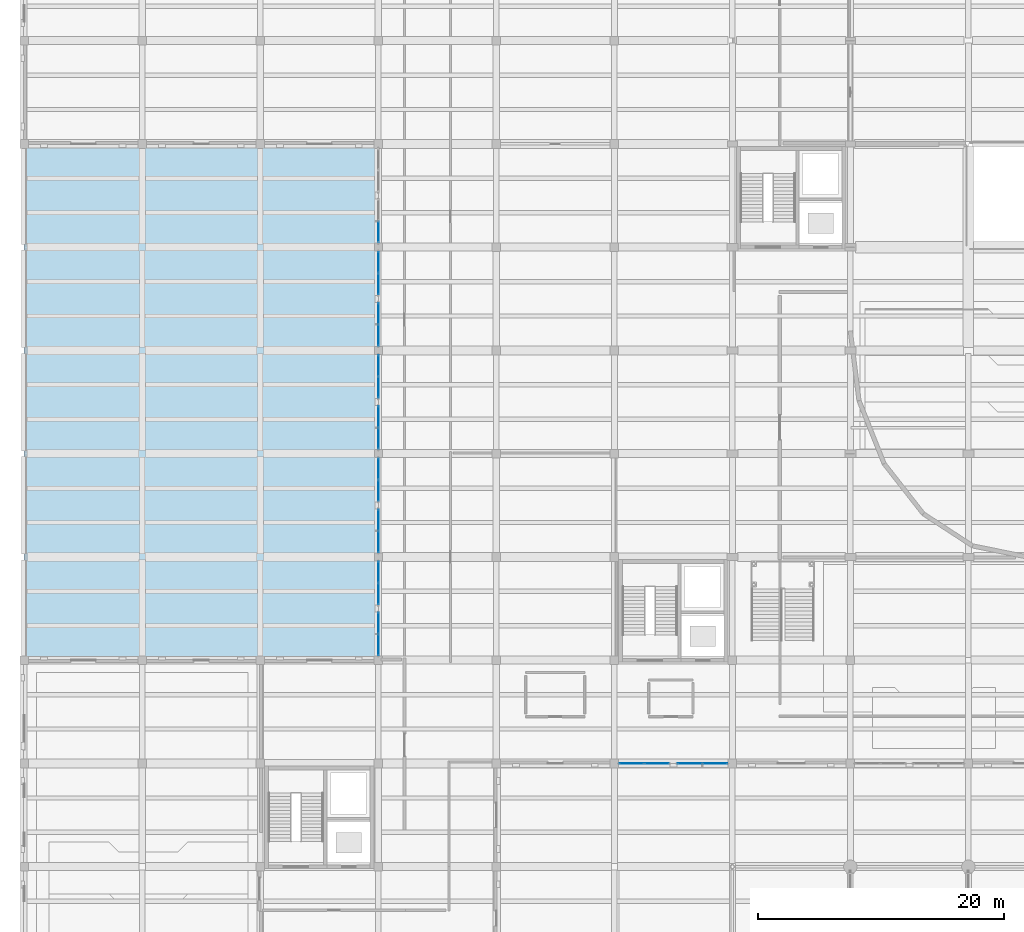
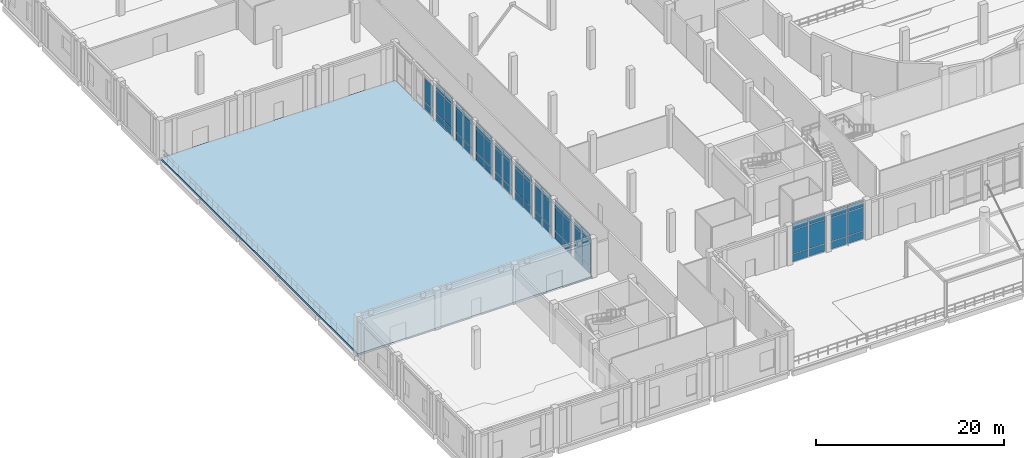
# One storey, part 40 of 71: 62 plates, 1 slab, 11 elements without a shape of their own.
"""IFC4 building model written with IfcOpenShell, lengths in metres."""

import ifcopenshell
import ifcopenshell.guid

model = None  # the IFC model being written
_history = None  # IfcOwnerHistory: only IFC2X3 demands one
_inside = {}  # id of a spatial element -> (the spatial element, [elements in it])
_under = {}  # id of a project, library or spatial element -> (it, [spatial elements below it])
_declared = {}  # id of a project -> (the project, [libraries it declares])
_typed = {}  # id of a type object -> (the type object, [elements of that type])
_made_of = {}  # id of a material, layer set ... -> (it, [elements and type objects made of it])


def new_model(schema):
    """Start an empty IFC model of exactly this schema.

    Asked for "IFC4X3", IfcOpenShell would pick the latest addendum, in which some entities
    have other attributes; the version numbers below select the first issue.
    IFC2X3 requires an IfcOwnerHistory on every rooted entity: one is made here for all.
    """
    global model, _history
    if schema == "IFC4X3":
        model = ifcopenshell.file(schema_version=(4, 3, 0, 0))
    else:
        model = ifcopenshell.file(schema=schema)
    _inside.clear()
    _under.clear()
    _declared.clear()
    _typed.clear()
    _made_of.clear()
    _history = None
    if model.schema == "IFC2X3":
        org = make("IfcOrganization", Name="unknown")
        user = make(
            "IfcPersonAndOrganization",
            ThePerson=make("IfcPerson", FamilyName="unknown"),
            TheOrganization=org,
        )
        app = make(
            "IfcApplication",
            ApplicationDeveloper=org,
            Version="unknown",
            ApplicationFullName="unknown",
            ApplicationIdentifier="unknown",
        )
        _history = make(
            "IfcOwnerHistory",
            OwningUser=user,
            OwningApplication=app,
            ChangeAction="ADDED",
            CreationDate=0,
        )
    return model


def make(cls, **values):
    """One entity of the class cls with the attributes given. An attribute that is None is left unset."""
    return model.create_entity(
        cls, **{name: value for name, value in values.items() if value is not None}
    )


def rooted(cls, **values):
    """An entity with a GlobalId (a new one), such as an element, a storey or a relation."""
    return make(cls, GlobalId=ifcopenshell.guid.new(), OwnerHistory=_history, **values)


def si_unit(unit_type, name, prefix=None):
    """IfcSIUnit, for example si_unit("LENGTHUNIT", "METRE", prefix="MILLI")."""
    return make("IfcSIUnit", UnitType=unit_type, Prefix=prefix, Name=name)


def assignment(units):
    """IfcUnitAssignment: the units of a project."""
    return None if units is None else make("IfcUnitAssignment", Units=units)


def point(xyz):
    """IfcCartesianPoint."""
    return None if xyz is None else make("IfcCartesianPoint", Coordinates=xyz)


def direction(xyz):
    """IfcDirection."""
    return None if xyz is None else make("IfcDirection", DirectionRatios=xyz)


def frame(location, z_axis=None, x_axis=None):
    """IfcAxis2Placement3D, a coordinate frame: its origin and axes. An axis left out is left unset."""
    return make(
        "IfcAxis2Placement3D",
        Location=point(location),
        Axis=direction(z_axis),
        RefDirection=direction(x_axis),
    )


def frame_2d(location, x_axis=None):
    """IfcAxis2Placement2D, a coordinate frame in the plane: its origin and x axis."""
    return make(
        "IfcAxis2Placement2D", Location=point(location), RefDirection=direction(x_axis)
    )


def origin():
    """The frame at (0, 0, 0) with its axes left unset."""
    return frame((0.0, 0.0, 0.0))


def origin_2d():
    """The frame at (0, 0) in the plane with its x axis left unset."""
    return frame_2d((0.0, 0.0))


def place(relative_to, where):
    """IfcLocalPlacement: puts the frame where relative to a parent placement (None: the world)."""
    return make(
        "IfcLocalPlacement", PlacementRelTo=relative_to, RelativePlacement=where
    )


def context(
    kind, dimensions, precision=None, world=None, true_north=None, identifier=None
):
    """IfcGeometricRepresentationContext, for example the 3D "Model" context."""
    return make(
        "IfcGeometricRepresentationContext",
        ContextIdentifier=identifier,
        ContextType=kind,
        CoordinateSpaceDimension=dimensions,
        Precision=precision,
        WorldCoordinateSystem=world,
        TrueNorth=true_north,
    )


def subcontext(parent, identifier, kind, view, scale=None):
    """IfcGeometricRepresentationSubContext, for example "Body" below "Model"."""
    return make(
        "IfcGeometricRepresentationSubContext",
        ContextIdentifier=identifier,
        ContextType=kind,
        ParentContext=parent,
        TargetScale=scale,
        TargetView=view,
    )


def project(units=None, contexts=None):
    """IfcProject with its units and contexts."""
    return rooted(
        "IfcProject",
        Name="project",
        RepresentationContexts=contexts,
        UnitsInContext=assignment(units),
    )


def spatial(cls, under=None, at=None, **own):
    """A site, building, storey or space (cls), placed at a placement, below another one or the project."""
    s = rooted(cls, ObjectPlacement=at, **own)
    if under is not None:
        _under.setdefault(under.id(), (under, []))[1].append(s)
    return s


def polyline(points):
    """IfcPolyline through the points."""
    return make("IfcPolyline", Points=[point(p) for p in points])


def profile(cls, at=None, kind="AREA", **sizes):
    """A parametric profile (cls). Its sizes go by their IFC names, for example OverallWidth=200.0."""
    return make(cls, ProfileType=kind, Position=at, **sizes)


def rectangle(**sizes):
    """IfcRectangleProfileDef."""
    return profile("IfcRectangleProfileDef", **sizes)


def outline(outer, holes=None, kind="AREA"):
    """IfcArbitraryClosedProfileDef: a profile drawn as a closed curve; with holes, ...WithVoids."""
    if holes is None:
        return make("IfcArbitraryClosedProfileDef", ProfileType=kind, OuterCurve=outer)
    return make(
        "IfcArbitraryProfileDefWithVoids",
        ProfileType=kind,
        OuterCurve=outer,
        InnerCurves=holes,
    )


def extrude(swept, where, along, depth):
    """IfcExtrudedAreaSolid: the profile swept, set in the frame where, extruded along a direction by depth."""
    return make(
        "IfcExtrudedAreaSolid",
        SweptArea=swept,
        Position=where,
        ExtrudedDirection=direction(along),
        Depth=depth,
    )


def shape(context_of_items, identifier, shape_type, items):
    """IfcShapeRepresentation: the items that make up one representation, for example the "Body"."""
    return make(
        "IfcShapeRepresentation",
        ContextOfItems=context_of_items,
        RepresentationIdentifier=identifier,
        RepresentationType=shape_type,
        Items=items,
    )


def material(Name=None, Category=None):
    """IfcMaterial."""
    return make("IfcMaterial", Name=Name, Category=Category)


def layer(
    of_material, thickness, ventilated=None, Name=None, Category=None, Priority=None
):
    """IfcMaterialLayer: one layer of a wall or slab, of a material (None: an air gap)."""
    return make(
        "IfcMaterialLayer",
        Material=of_material,
        LayerThickness=thickness,
        IsVentilated=ventilated,
        Name=Name,
        Category=Category,
        Priority=Priority,
    )


def layer_set(layers, Name=None):
    """IfcMaterialLayerSet."""
    return make("IfcMaterialLayerSet", MaterialLayers=layers, LayerSetName=Name)


def made_of(thing, what):
    """Note that an element or type object is made of a material, layer set ...; save() writes the relation."""
    if what is not None:
        _made_of.setdefault(what.id(), (what, []))[1].append(thing)
    return thing


def type_object(cls, material=None, **own):
    """A type object (cls), such as IfcWallType, which elements share."""
    return made_of(rooted(cls, **own), material)


def element(
    cls,
    number,
    at=None,
    inside=None,
    cuts=None,
    type_object=None,
    material=None,
    context=None,
    identifier="Body",
    shape_type=None,
    held_by="IfcProductDefinitionShape",
    body=None,
    shapes=None,
    **own,
):
    """One element of the class cls, such as IfcWall. Its Tag is "e" and its number.

    at: its placement. inside: the storey or other place that contains it. cuts: it is an
    opening in that element (IfcRelVoidsElement). A single representation is given by context,
    identifier, shape_type and body (its items); several are given by shapes. held_by: the class
    of the entity that holds the representations. save() writes the other relations.
    """
    e = rooted(cls, Tag="e%d" % number, ObjectPlacement=at, **own)
    if body is not None:
        shapes = [shape(context, identifier, shape_type, body)]
    if shapes is not None:
        e.Representation = make(held_by, Representations=shapes)
    if inside is not None:
        _inside.setdefault(inside.id(), (inside, []))[1].append(e)
    if cuts is not None:
        rooted(
            "IfcRelVoidsElement", RelatingBuildingElement=cuts, RelatedOpeningElement=e
        )
    if type_object is not None:
        _typed.setdefault(type_object.id(), (type_object, []))[1].append(e)
    return made_of(e, material)


def aggregate(whole, parts):
    """IfcRelAggregates: a whole, such as a stair, and the parts it consists of."""
    return rooted("IfcRelAggregates", RelatingObject=whole, RelatedObjects=parts)


def save(model, path):
    """Write the relations noted so far, then the file.

    IfcRelAggregates (storeys below a building ...), IfcRelContainedInSpatialStructure (elements
    in a storey), IfcRelDefinesByType, IfcRelAssociatesMaterial and IfcRelDeclares: one each for
    every whole, place, type object, material and project.
    """
    for whole, parts in _under.values():
        aggregate(whole, parts)
    for where, things in _inside.values():
        rooted(
            "IfcRelContainedInSpatialStructure",
            RelatedElements=things,
            RelatingStructure=where,
        )
    for kind, things in _typed.values():
        rooted("IfcRelDefinesByType", RelatedObjects=things, RelatingType=kind)
    for what, things in _made_of.values():
        rooted("IfcRelAssociatesMaterial", RelatedObjects=things, RelatingMaterial=what)
    for by, libraries in _declared.values():
        rooted("IfcRelDeclares", RelatingContext=by, RelatedDefinitions=libraries)
    model.write(path)


model = new_model("IFC4")

# Units and contexts
model_context = context("Model", 3, precision=1e-05, world=origin(), true_north=direction((0.0, 1.0)))
body_context = subcontext(model_context, "Body", "Model", "MODEL_VIEW")
ifc_project = project(units=[si_unit("LENGTHUNIT", "METRE"), si_unit("AREAUNIT", "SQUARE_METRE"), si_unit("VOLUMEUNIT", "CUBIC_METRE"), si_unit("PLANEANGLEUNIT", "RADIAN"), si_unit("MASSUNIT", "GRAM", prefix="KILO")], contexts=[model_context])

# Site, building, storey
site_placement = place(None, origin())
site = spatial("IfcSite", under=ifc_project, at=site_placement, CompositionType="ELEMENT")
building_placement = place(site_placement, origin())
building = spatial("IfcBuilding", under=site, at=building_placement, Name="Lornevale Opera House", CompositionType="ELEMENT")
storey_placement = place(building_placement, origin())
storey = spatial("IfcBuildingStorey", under=building, at=storey_placement, Name="L01", CompositionType="ELEMENT", Elevation=0.0)

# Curtain wall, plates
ifc_material_1 = material(Name="Anodized Oxide-Green Aluminium Framing", Category="aluminium")
ifc_layer_1 = layer(ifc_material_1, 0.215087890625)
ifc_layer_set_1 = layer_set([ifc_layer_1], Name="Anodized Oxide-Green Aluminium Framing")
curtain_wall_type = type_object("IfcCurtainWallType", Name="Grand Foyer Curtain Wall M2000", PredefinedType="NOTDEFINED", material=ifc_layer_set_1)
curtain_wall_1_placement = place(storey_placement, origin())
curtain_wall_1 = element("IfcCurtainWall", 1, at=curtain_wall_1_placement, inside=storey, type_object=curtain_wall_type, Name="Grand Foyer Curtain Wall M2000 CW-001", PredefinedType="NOTDEFINED")
ifc_material_2 = material(Name="Triple Low-E Insulated Glazing", Category="glass")
ifc_layer_2 = layer(ifc_material_2, 0.0419921875)
ifc_layer_set_2 = layer_set([ifc_layer_2], Name="Triple Low-E Insulated Glazing")
plate_type = type_object("IfcPlateType", Name="Ceramic Fritted Bird-Safe Panel 42", PredefinedType="CURTAIN_PANEL", material=ifc_layer_set_2)
plate_1_placement = place(storey_placement, frame((28.800048828125, 26.458251953125, 0.074951171875), z_axis=(0.0, 0.0, 1.0), x_axis=(0.0, 1.0, 0.0)))
plate_1 = element("IfcPlate", 2, at=plate_1_placement, type_object=plate_type, Name="Ceramic Fritted Bird-Safe Panel 42 CW0008", PredefinedType="CURTAIN_PANEL", context=body_context, shape_type="SweptSolid", body=[
    extrude(rectangle(XDim=1.674560546875, YDim=0.0419921875, at=origin_2d()), origin(), (0.0, 0.0, 1.0), 0.9375),
])
plate_2_placement = place(storey_placement, frame((28.800048828125, 26.458251953125, 1.087646484375), z_axis=(0.0, 0.0, 1.0), x_axis=(0.0, 1.0, 0.0)))
plate_2 = element("IfcPlate", 3, at=plate_2_placement, type_object=plate_type, Name="Ceramic Fritted Bird-Safe Panel 42 CW0009", PredefinedType="CURTAIN_PANEL", context=body_context, shape_type="SweptSolid", body=[
    extrude(rectangle(XDim=1.674560546875, YDim=0.0419921875, at=origin_2d()), origin(), (0.0, 0.0, 1.0), 3.02490234375),
])
plate_3_placement = place(storey_placement, frame((28.800048828125, 26.458251953125, 4.1875), z_axis=(0.0, 0.0, 1.0), x_axis=(0.0, 1.0, 0.0)))
plate_3 = element("IfcPlate", 4, at=plate_3_placement, type_object=plate_type, Name="Ceramic Fritted Bird-Safe Panel 42 CW0010", PredefinedType="CURTAIN_PANEL", context=body_context, shape_type="SweptSolid", body=[
    extrude(rectangle(XDim=1.674560546875, YDim=0.0419921875, at=origin_2d()), origin(), (0.0, 0.0, 1.0), 0.83740234375),
])
plate_4_placement = place(storey_placement, frame((28.800048828125, 28.207763671875, 0.074951171875), z_axis=(0.0, 0.0, 1.0), x_axis=(0.0, 1.0, 0.0)))
plate_4 = element("IfcPlate", 5, at=plate_4_placement, type_object=plate_type, Name="Ceramic Fritted Bird-Safe Panel 42 CW0015", PredefinedType="CURTAIN_PANEL", context=body_context, shape_type="SweptSolid", body=[
    extrude(rectangle(XDim=1.674560546875, YDim=0.0419921875, at=origin_2d()), origin(), (0.0, 0.0, 1.0), 0.9375),
])
plate_5_placement = place(storey_placement, frame((28.800048828125, 28.207763671875, 1.087646484375), z_axis=(0.0, 0.0, 1.0), x_axis=(0.0, 1.0, 0.0)))
plate_5 = element("IfcPlate", 6, at=plate_5_placement, type_object=plate_type, Name="Ceramic Fritted Bird-Safe Panel 42 CW0016", PredefinedType="CURTAIN_PANEL", context=body_context, shape_type="SweptSolid", body=[
    extrude(rectangle(XDim=1.674560546875, YDim=0.0419921875, at=origin_2d()), origin(), (0.0, 0.0, 1.0), 3.02490234375),
])
plate_6_placement = place(storey_placement, frame((28.800048828125, 28.207763671875, 4.1875), z_axis=(0.0, 0.0, 1.0), x_axis=(0.0, 1.0, 0.0)))
plate_6 = element("IfcPlate", 7, at=plate_6_placement, type_object=plate_type, Name="Ceramic Fritted Bird-Safe Panel 42 CW0017", PredefinedType="CURTAIN_PANEL", context=body_context, shape_type="SweptSolid", body=[
    extrude(rectangle(XDim=1.674560546875, YDim=0.0419921875, at=origin_2d()), origin(), (0.0, 0.0, 1.0), 0.83740234375),
])
aggregate(curtain_wall_1, [plate_1, plate_2, plate_3, plate_4, plate_5, plate_6])

curtain_wall_2_placement = place(storey_placement, origin())
curtain_wall_2 = element("IfcCurtainWall", 8, at=curtain_wall_2_placement, inside=storey, type_object=curtain_wall_type, Name="Grand Foyer Curtain Wall M2000 CW-002", PredefinedType="NOTDEFINED")
plate_7_placement = place(storey_placement, frame((28.800048828125, 30.598388671875, 0.074951171875), z_axis=(0.0, 0.0, 1.0), x_axis=(0.0, 1.0, 0.0)))
plate_7 = element("IfcPlate", 9, at=plate_7_placement, type_object=plate_type, Name="Ceramic Fritted Bird-Safe Panel 42 CW0025", PredefinedType="CURTAIN_PANEL", context=body_context, shape_type="SweptSolid", body=[
    extrude(rectangle(XDim=1.68701171875, YDim=0.0419921875, at=origin_2d()), origin(), (0.0, 0.0, 1.0), 0.9375),
])
plate_8_placement = place(storey_placement, frame((28.800048828125, 30.598388671875, 1.087646484375), z_axis=(0.0, 0.0, 1.0), x_axis=(0.0, 1.0, 0.0)))
plate_8 = element("IfcPlate", 10, at=plate_8_placement, type_object=plate_type, Name="Ceramic Fritted Bird-Safe Panel 42 CW0026", PredefinedType="CURTAIN_PANEL", context=body_context, shape_type="SweptSolid", body=[
    extrude(rectangle(XDim=1.68701171875, YDim=0.0419921875, at=origin_2d()), origin(), (0.0, 0.0, 1.0), 3.02490234375),
])
plate_9_placement = place(storey_placement, frame((28.800048828125, 30.598388671875, 4.1875), z_axis=(0.0, 0.0, 1.0), x_axis=(0.0, 1.0, 0.0)))
plate_9 = element("IfcPlate", 11, at=plate_9_placement, type_object=plate_type, Name="Ceramic Fritted Bird-Safe Panel 42 CW0027", PredefinedType="CURTAIN_PANEL", context=body_context, shape_type="SweptSolid", body=[
    extrude(rectangle(XDim=1.68701171875, YDim=0.0419921875, at=origin_2d()), origin(), (0.0, 0.0, 1.0), 0.83740234375),
])
plate_10_placement = place(storey_placement, frame((28.800048828125, 32.360595703125, 0.074951171875), z_axis=(0.0, 0.0, 1.0), x_axis=(0.0, 1.0, 0.0)))
plate_10 = element("IfcPlate", 12, at=plate_10_placement, type_object=plate_type, Name="Ceramic Fritted Bird-Safe Panel 42 CW0032", PredefinedType="CURTAIN_PANEL", context=body_context, shape_type="SweptSolid", body=[
    extrude(rectangle(XDim=1.68701171875, YDim=0.0419921875, at=origin_2d()), origin(), (0.0, 0.0, 1.0), 0.9375),
])
plate_11_placement = place(storey_placement, frame((28.800048828125, 32.360595703125, 1.087646484375), z_axis=(0.0, 0.0, 1.0), x_axis=(0.0, 1.0, 0.0)))
plate_11 = element("IfcPlate", 13, at=plate_11_placement, type_object=plate_type, Name="Ceramic Fritted Bird-Safe Panel 42 CW0033", PredefinedType="CURTAIN_PANEL", context=body_context, shape_type="SweptSolid", body=[
    extrude(rectangle(XDim=1.68701171875, YDim=0.0419921875, at=origin_2d()), origin(), (0.0, 0.0, 1.0), 3.02490234375),
])
plate_12_placement = place(storey_placement, frame((28.800048828125, 32.360595703125, 4.1875), z_axis=(0.0, 0.0, 1.0), x_axis=(0.0, 1.0, 0.0)))
plate_12 = element("IfcPlate", 14, at=plate_12_placement, type_object=plate_type, Name="Ceramic Fritted Bird-Safe Panel 42 CW0034", PredefinedType="CURTAIN_PANEL", context=body_context, shape_type="SweptSolid", body=[
    extrude(rectangle(XDim=1.68701171875, YDim=0.0419921875, at=origin_2d()), origin(), (0.0, 0.0, 1.0), 0.83740234375),
])
aggregate(curtain_wall_2, [plate_7, plate_8, plate_9, plate_10, plate_11, plate_12])

curtain_wall_3_placement = place(storey_placement, origin())
curtain_wall_3 = element("IfcCurtainWall", 15, at=curtain_wall_3_placement, inside=storey, type_object=curtain_wall_type, Name="Grand Foyer Curtain Wall M2000 CW-003", PredefinedType="NOTDEFINED")
plate_13_placement = place(storey_placement, frame((28.800048828125, 34.839599609375, 0.074951171875), z_axis=(0.0, 0.0, 1.0), x_axis=(0.0, 1.0, 0.0)))
plate_13 = element("IfcPlate", 16, at=plate_13_placement, type_object=plate_type, Name="Ceramic Fritted Bird-Safe Panel 42 CW0042", PredefinedType="CURTAIN_PANEL", context=body_context, shape_type="SweptSolid", body=[
    extrude(rectangle(XDim=1.68701171875, YDim=0.0419921875, at=origin_2d()), origin(), (0.0, 0.0, 1.0), 0.9375),
])
plate_14_placement = place(storey_placement, frame((28.800048828125, 34.839599609375, 1.087646484375), z_axis=(0.0, 0.0, 1.0), x_axis=(0.0, 1.0, 0.0)))
plate_14 = element("IfcPlate", 17, at=plate_14_placement, type_object=plate_type, Name="Ceramic Fritted Bird-Safe Panel 42 CW0043", PredefinedType="CURTAIN_PANEL", context=body_context, shape_type="SweptSolid", body=[
    extrude(rectangle(XDim=1.68701171875, YDim=0.0419921875, at=origin_2d()), origin(), (0.0, 0.0, 1.0), 3.02490234375),
])
plate_15_placement = place(storey_placement, frame((28.800048828125, 34.839599609375, 4.1875), z_axis=(0.0, 0.0, 1.0), x_axis=(0.0, 1.0, 0.0)))
plate_15 = element("IfcPlate", 18, at=plate_15_placement, type_object=plate_type, Name="Ceramic Fritted Bird-Safe Panel 42 CW0044", PredefinedType="CURTAIN_PANEL", context=body_context, shape_type="SweptSolid", body=[
    extrude(rectangle(XDim=1.68701171875, YDim=0.0419921875, at=origin_2d()), origin(), (0.0, 0.0, 1.0), 0.83740234375),
])
plate_16_placement = place(storey_placement, frame((28.800048828125, 36.6015625, 0.074951171875), z_axis=(0.0, 0.0, 1.0), x_axis=(0.0, 1.0, 0.0)))
plate_16 = element("IfcPlate", 19, at=plate_16_placement, type_object=plate_type, Name="Ceramic Fritted Bird-Safe Panel 42 CW0049", PredefinedType="CURTAIN_PANEL", context=body_context, shape_type="SweptSolid", body=[
    extrude(rectangle(XDim=1.68701171875, YDim=0.0419921875, at=origin_2d()), origin(), (0.0, 0.0, 1.0), 0.9375),
])
plate_17_placement = place(storey_placement, frame((28.800048828125, 36.6015625, 1.087646484375), z_axis=(0.0, 0.0, 1.0), x_axis=(0.0, 1.0, 0.0)))
plate_17 = element("IfcPlate", 20, at=plate_17_placement, type_object=plate_type, Name="Ceramic Fritted Bird-Safe Panel 42 CW0050", PredefinedType="CURTAIN_PANEL", context=body_context, shape_type="SweptSolid", body=[
    extrude(rectangle(XDim=1.68701171875, YDim=0.0419921875, at=origin_2d()), origin(), (0.0, 0.0, 1.0), 3.02490234375),
])
plate_18_placement = place(storey_placement, frame((28.800048828125, 36.6015625, 4.1875), z_axis=(0.0, 0.0, 1.0), x_axis=(0.0, 1.0, 0.0)))
plate_18 = element("IfcPlate", 21, at=plate_18_placement, type_object=plate_type, Name="Ceramic Fritted Bird-Safe Panel 42 CW0051", PredefinedType="CURTAIN_PANEL", context=body_context, shape_type="SweptSolid", body=[
    extrude(rectangle(XDim=1.68701171875, YDim=0.0419921875, at=origin_2d()), origin(), (0.0, 0.0, 1.0), 0.83740234375),
])
aggregate(curtain_wall_3, [plate_13, plate_14, plate_15, plate_16, plate_17, plate_18])

curtain_wall_4_placement = place(storey_placement, origin())
curtain_wall_4 = element("IfcCurtainWall", 22, at=curtain_wall_4_placement, inside=storey, type_object=curtain_wall_type, Name="Grand Foyer Curtain Wall M2000 CW-004", PredefinedType="NOTDEFINED")
plate_19_placement = place(storey_placement, frame((28.800048828125, 38.99853515625, 0.074951171875), z_axis=(0.0, 0.0, 1.0), x_axis=(0.0, 1.0, 0.0)))
plate_19 = element("IfcPlate", 23, at=plate_19_placement, type_object=plate_type, Name="Ceramic Fritted Bird-Safe Panel 42 CW0059", PredefinedType="CURTAIN_PANEL", context=body_context, shape_type="SweptSolid", body=[
    extrude(rectangle(XDim=1.68701171875, YDim=0.0419921875, at=origin_2d()), origin(), (0.0, 0.0, 1.0), 0.9375),
])
plate_20_placement = place(storey_placement, frame((28.800048828125, 38.99853515625, 1.087646484375), z_axis=(0.0, 0.0, 1.0), x_axis=(0.0, 1.0, 0.0)))
plate_20 = element("IfcPlate", 24, at=plate_20_placement, type_object=plate_type, Name="Ceramic Fritted Bird-Safe Panel 42 CW0060", PredefinedType="CURTAIN_PANEL", context=body_context, shape_type="SweptSolid", body=[
    extrude(rectangle(XDim=1.68701171875, YDim=0.0419921875, at=origin_2d()), origin(), (0.0, 0.0, 1.0), 3.02490234375),
])
plate_21_placement = place(storey_placement, frame((28.800048828125, 38.99853515625, 4.1875), z_axis=(0.0, 0.0, 1.0), x_axis=(0.0, 1.0, 0.0)))
plate_21 = element("IfcPlate", 25, at=plate_21_placement, type_object=plate_type, Name="Ceramic Fritted Bird-Safe Panel 42 CW0061", PredefinedType="CURTAIN_PANEL", context=body_context, shape_type="SweptSolid", body=[
    extrude(rectangle(XDim=1.68701171875, YDim=0.0419921875, at=origin_2d()), origin(), (0.0, 0.0, 1.0), 0.83740234375),
])
plate_22_placement = place(storey_placement, frame((28.800048828125, 40.760498046875, 0.074951171875), z_axis=(0.0, 0.0, 1.0), x_axis=(0.0, 1.0, 0.0)))
plate_22 = element("IfcPlate", 26, at=plate_22_placement, type_object=plate_type, Name="Ceramic Fritted Bird-Safe Panel 42 CW0066", PredefinedType="CURTAIN_PANEL", context=body_context, shape_type="SweptSolid", body=[
    extrude(rectangle(XDim=1.68701171875, YDim=0.0419921875, at=origin_2d()), origin(), (0.0, 0.0, 1.0), 0.9375),
])
plate_23_placement = place(storey_placement, frame((28.800048828125, 40.760498046875, 1.087646484375), z_axis=(0.0, 0.0, 1.0), x_axis=(0.0, 1.0, 0.0)))
plate_23 = element("IfcPlate", 27, at=plate_23_placement, type_object=plate_type, Name="Ceramic Fritted Bird-Safe Panel 42 CW0067", PredefinedType="CURTAIN_PANEL", context=body_context, shape_type="SweptSolid", body=[
    extrude(rectangle(XDim=1.68701171875, YDim=0.0419921875, at=origin_2d()), origin(), (0.0, 0.0, 1.0), 3.02490234375),
])
plate_24_placement = place(storey_placement, frame((28.800048828125, 40.760498046875, 4.1875), z_axis=(0.0, 0.0, 1.0), x_axis=(0.0, 1.0, 0.0)))
plate_24 = element("IfcPlate", 28, at=plate_24_placement, type_object=plate_type, Name="Ceramic Fritted Bird-Safe Panel 42 CW0068", PredefinedType="CURTAIN_PANEL", context=body_context, shape_type="SweptSolid", body=[
    extrude(rectangle(XDim=1.68701171875, YDim=0.0419921875, at=origin_2d()), origin(), (0.0, 0.0, 1.0), 0.83740234375),
])
aggregate(curtain_wall_4, [plate_19, plate_20, plate_21, plate_22, plate_23, plate_24])

curtain_wall_5_placement = place(storey_placement, origin())
curtain_wall_5 = element("IfcCurtainWall", 29, at=curtain_wall_5_placement, inside=storey, type_object=curtain_wall_type, Name="Grand Foyer Curtain Wall M2000 CW-005", PredefinedType="NOTDEFINED")
plate_25_placement = place(storey_placement, frame((28.800048828125, 43.239501953125, 0.074951171875), z_axis=(0.0, 0.0, 1.0), x_axis=(0.0, 1.0, 0.0)))
plate_25 = element("IfcPlate", 30, at=plate_25_placement, type_object=plate_type, Name="Ceramic Fritted Bird-Safe Panel 42 CW0076", PredefinedType="CURTAIN_PANEL", context=body_context, shape_type="SweptSolid", body=[
    extrude(rectangle(XDim=1.68701171875, YDim=0.0419921875, at=origin_2d()), origin(), (0.0, 0.0, 1.0), 0.9375),
])
plate_26_placement = place(storey_placement, frame((28.800048828125, 43.239501953125, 1.087646484375), z_axis=(0.0, 0.0, 1.0), x_axis=(0.0, 1.0, 0.0)))
plate_26 = element("IfcPlate", 31, at=plate_26_placement, type_object=plate_type, Name="Ceramic Fritted Bird-Safe Panel 42 CW0077", PredefinedType="CURTAIN_PANEL", context=body_context, shape_type="SweptSolid", body=[
    extrude(rectangle(XDim=1.68701171875, YDim=0.0419921875, at=origin_2d()), origin(), (0.0, 0.0, 1.0), 3.02490234375),
])
plate_27_placement = place(storey_placement, frame((28.800048828125, 43.239501953125, 4.1875), z_axis=(0.0, 0.0, 1.0), x_axis=(0.0, 1.0, 0.0)))
plate_27 = element("IfcPlate", 32, at=plate_27_placement, type_object=plate_type, Name="Ceramic Fritted Bird-Safe Panel 42 CW0078", PredefinedType="CURTAIN_PANEL", context=body_context, shape_type="SweptSolid", body=[
    extrude(rectangle(XDim=1.68701171875, YDim=0.0419921875, at=origin_2d()), origin(), (0.0, 0.0, 1.0), 0.83740234375),
])
plate_28_placement = place(storey_placement, frame((28.800048828125, 45.00146484375, 0.074951171875), z_axis=(0.0, 0.0, 1.0), x_axis=(0.0, 1.0, 0.0)))
plate_28 = element("IfcPlate", 33, at=plate_28_placement, type_object=plate_type, Name="Ceramic Fritted Bird-Safe Panel 42 CW0083", PredefinedType="CURTAIN_PANEL", context=body_context, shape_type="SweptSolid", body=[
    extrude(rectangle(XDim=1.68701171875, YDim=0.0419921875, at=origin_2d()), origin(), (0.0, 0.0, 1.0), 0.9375),
])
plate_29_placement = place(storey_placement, frame((28.800048828125, 45.00146484375, 1.087646484375), z_axis=(0.0, 0.0, 1.0), x_axis=(0.0, 1.0, 0.0)))
plate_29 = element("IfcPlate", 34, at=plate_29_placement, type_object=plate_type, Name="Ceramic Fritted Bird-Safe Panel 42 CW0084", PredefinedType="CURTAIN_PANEL", context=body_context, shape_type="SweptSolid", body=[
    extrude(rectangle(XDim=1.68701171875, YDim=0.0419921875, at=origin_2d()), origin(), (0.0, 0.0, 1.0), 3.02490234375),
])
plate_30_placement = place(storey_placement, frame((28.800048828125, 45.00146484375, 4.1875), z_axis=(0.0, 0.0, 1.0), x_axis=(0.0, 1.0, 0.0)))
plate_30 = element("IfcPlate", 35, at=plate_30_placement, type_object=plate_type, Name="Ceramic Fritted Bird-Safe Panel 42 CW0085", PredefinedType="CURTAIN_PANEL", context=body_context, shape_type="SweptSolid", body=[
    extrude(rectangle(XDim=1.68701171875, YDim=0.0419921875, at=origin_2d()), origin(), (0.0, 0.0, 1.0), 0.83740234375),
])
aggregate(curtain_wall_5, [plate_25, plate_26, plate_27, plate_28, plate_29, plate_30])

curtain_wall_6_placement = place(storey_placement, origin())
curtain_wall_6 = element("IfcCurtainWall", 36, at=curtain_wall_6_placement, inside=storey, type_object=curtain_wall_type, Name="Grand Foyer Curtain Wall M2000 CW-006", PredefinedType="NOTDEFINED")
plate_31_placement = place(storey_placement, frame((28.800048828125, 47.3984375, 0.074951171875), z_axis=(0.0, 0.0, 1.0), x_axis=(0.0, 1.0, 0.0)))
plate_31 = element("IfcPlate", 37, at=plate_31_placement, type_object=plate_type, Name="Ceramic Fritted Bird-Safe Panel 42 CW0093", PredefinedType="CURTAIN_PANEL", context=body_context, shape_type="SweptSolid", body=[
    extrude(rectangle(XDim=1.68701171875, YDim=0.0419921875, at=origin_2d()), origin(), (0.0, 0.0, 1.0), 0.9375),
])
plate_32_placement = place(storey_placement, frame((28.800048828125, 47.3984375, 1.087646484375), z_axis=(0.0, 0.0, 1.0), x_axis=(0.0, 1.0, 0.0)))
plate_32 = element("IfcPlate", 38, at=plate_32_placement, type_object=plate_type, Name="Ceramic Fritted Bird-Safe Panel 42 CW0094", PredefinedType="CURTAIN_PANEL", context=body_context, shape_type="SweptSolid", body=[
    extrude(rectangle(XDim=1.68701171875, YDim=0.0419921875, at=origin_2d()), origin(), (0.0, 0.0, 1.0), 3.02490234375),
])
plate_33_placement = place(storey_placement, frame((28.800048828125, 47.3984375, 4.1875), z_axis=(0.0, 0.0, 1.0), x_axis=(0.0, 1.0, 0.0)))
plate_33 = element("IfcPlate", 39, at=plate_33_placement, type_object=plate_type, Name="Ceramic Fritted Bird-Safe Panel 42 CW0095", PredefinedType="CURTAIN_PANEL", context=body_context, shape_type="SweptSolid", body=[
    extrude(rectangle(XDim=1.68701171875, YDim=0.0419921875, at=origin_2d()), origin(), (0.0, 0.0, 1.0), 0.83740234375),
])
plate_34_placement = place(storey_placement, frame((28.800048828125, 49.160400390625, 0.074951171875), z_axis=(0.0, 0.0, 1.0), x_axis=(0.0, 1.0, 0.0)))
plate_34 = element("IfcPlate", 40, at=plate_34_placement, type_object=plate_type, Name="Ceramic Fritted Bird-Safe Panel 42 CW0100", PredefinedType="CURTAIN_PANEL", context=body_context, shape_type="SweptSolid", body=[
    extrude(rectangle(XDim=1.68701171875, YDim=0.0419921875, at=origin_2d()), origin(), (0.0, 0.0, 1.0), 0.9375),
])
plate_35_placement = place(storey_placement, frame((28.800048828125, 49.160400390625, 1.087646484375), z_axis=(0.0, 0.0, 1.0), x_axis=(0.0, 1.0, 0.0)))
plate_35 = element("IfcPlate", 41, at=plate_35_placement, type_object=plate_type, Name="Ceramic Fritted Bird-Safe Panel 42 CW0101", PredefinedType="CURTAIN_PANEL", context=body_context, shape_type="SweptSolid", body=[
    extrude(rectangle(XDim=1.68701171875, YDim=0.0419921875, at=origin_2d()), origin(), (0.0, 0.0, 1.0), 3.02490234375),
])
plate_36_placement = place(storey_placement, frame((28.800048828125, 49.160400390625, 4.1875), z_axis=(0.0, 0.0, 1.0), x_axis=(0.0, 1.0, 0.0)))
plate_36 = element("IfcPlate", 42, at=plate_36_placement, type_object=plate_type, Name="Ceramic Fritted Bird-Safe Panel 42 CW0102", PredefinedType="CURTAIN_PANEL", context=body_context, shape_type="SweptSolid", body=[
    extrude(rectangle(XDim=1.68701171875, YDim=0.0419921875, at=origin_2d()), origin(), (0.0, 0.0, 1.0), 0.83740234375),
])
aggregate(curtain_wall_6, [plate_31, plate_32, plate_33, plate_34, plate_35, plate_36])

curtain_wall_7_placement = place(storey_placement, origin())
curtain_wall_7 = element("IfcCurtainWall", 43, at=curtain_wall_7_placement, inside=storey, type_object=curtain_wall_type, Name="Grand Foyer Curtain Wall M2000 CW-007", PredefinedType="NOTDEFINED")
plate_37_placement = place(storey_placement, frame((28.800048828125, 51.639404296875, 0.074951171875), z_axis=(0.0, 0.0, 1.0), x_axis=(0.0, 1.0, 0.0)))
plate_37 = element("IfcPlate", 44, at=plate_37_placement, type_object=plate_type, Name="Ceramic Fritted Bird-Safe Panel 42 CW0110", PredefinedType="CURTAIN_PANEL", context=body_context, shape_type="SweptSolid", body=[
    extrude(rectangle(XDim=1.68701171875, YDim=0.0419921875, at=origin_2d()), origin(), (0.0, 0.0, 1.0), 0.9375),
])
plate_38_placement = place(storey_placement, frame((28.800048828125, 51.639404296875, 1.087646484375), z_axis=(0.0, 0.0, 1.0), x_axis=(0.0, 1.0, 0.0)))
plate_38 = element("IfcPlate", 45, at=plate_38_placement, type_object=plate_type, Name="Ceramic Fritted Bird-Safe Panel 42 CW0111", PredefinedType="CURTAIN_PANEL", context=body_context, shape_type="SweptSolid", body=[
    extrude(rectangle(XDim=1.68701171875, YDim=0.0419921875, at=origin_2d()), origin(), (0.0, 0.0, 1.0), 3.02490234375),
])
plate_39_placement = place(storey_placement, frame((28.800048828125, 51.639404296875, 4.1875), z_axis=(0.0, 0.0, 1.0), x_axis=(0.0, 1.0, 0.0)))
plate_39 = element("IfcPlate", 46, at=plate_39_placement, type_object=plate_type, Name="Ceramic Fritted Bird-Safe Panel 42 CW0112", PredefinedType="CURTAIN_PANEL", context=body_context, shape_type="SweptSolid", body=[
    extrude(rectangle(XDim=1.68701171875, YDim=0.0419921875, at=origin_2d()), origin(), (0.0, 0.0, 1.0), 0.83740234375),
])
plate_40_placement = place(storey_placement, frame((28.800048828125, 53.401611328125, 0.074951171875), z_axis=(0.0, 0.0, 1.0), x_axis=(0.0, 1.0, 0.0)))
plate_40 = element("IfcPlate", 47, at=plate_40_placement, type_object=plate_type, Name="Ceramic Fritted Bird-Safe Panel 42 CW0117", PredefinedType="CURTAIN_PANEL", context=body_context, shape_type="SweptSolid", body=[
    extrude(rectangle(XDim=1.68701171875, YDim=0.0419921875, at=origin_2d()), origin(), (0.0, 0.0, 1.0), 0.9375),
])
plate_41_placement = place(storey_placement, frame((28.800048828125, 53.401611328125, 1.087646484375), z_axis=(0.0, 0.0, 1.0), x_axis=(0.0, 1.0, 0.0)))
plate_41 = element("IfcPlate", 48, at=plate_41_placement, type_object=plate_type, Name="Ceramic Fritted Bird-Safe Panel 42 CW0118", PredefinedType="CURTAIN_PANEL", context=body_context, shape_type="SweptSolid", body=[
    extrude(rectangle(XDim=1.68701171875, YDim=0.0419921875, at=origin_2d()), origin(), (0.0, 0.0, 1.0), 3.02490234375),
])
plate_42_placement = place(storey_placement, frame((28.800048828125, 53.401611328125, 4.1875), z_axis=(0.0, 0.0, 1.0), x_axis=(0.0, 1.0, 0.0)))
plate_42 = element("IfcPlate", 49, at=plate_42_placement, type_object=plate_type, Name="Ceramic Fritted Bird-Safe Panel 42 CW0119", PredefinedType="CURTAIN_PANEL", context=body_context, shape_type="SweptSolid", body=[
    extrude(rectangle(XDim=1.68701171875, YDim=0.0419921875, at=origin_2d()), origin(), (0.0, 0.0, 1.0), 0.83740234375),
])
aggregate(curtain_wall_7, [plate_37, plate_38, plate_39, plate_40, plate_41, plate_42])

curtain_wall_8_placement = place(storey_placement, origin())
curtain_wall_8 = element("IfcCurtainWall", 50, at=curtain_wall_8_placement, inside=storey, type_object=curtain_wall_type, Name="Grand Foyer Curtain Wall M2000 CW-008", PredefinedType="NOTDEFINED")
plate_43_placement = place(storey_placement, frame((28.800048828125, 55.798583984375, 0.074951171875), z_axis=(0.0, 0.0, 1.0), x_axis=(0.0, 1.0, 0.0)))
plate_43 = element("IfcPlate", 51, at=plate_43_placement, type_object=plate_type, Name="Ceramic Fritted Bird-Safe Panel 42 CW0127", PredefinedType="CURTAIN_PANEL", context=body_context, shape_type="SweptSolid", body=[
    extrude(rectangle(XDim=1.68701171875, YDim=0.0419921875, at=origin_2d()), origin(), (0.0, 0.0, 1.0), 0.9375),
])
plate_44_placement = place(storey_placement, frame((28.800048828125, 55.798583984375, 1.087646484375), z_axis=(0.0, 0.0, 1.0), x_axis=(0.0, 1.0, 0.0)))
plate_44 = element("IfcPlate", 52, at=plate_44_placement, type_object=plate_type, Name="Ceramic Fritted Bird-Safe Panel 42 CW0128", PredefinedType="CURTAIN_PANEL", context=body_context, shape_type="SweptSolid", body=[
    extrude(rectangle(XDim=1.68701171875, YDim=0.0419921875, at=origin_2d()), origin(), (0.0, 0.0, 1.0), 3.02490234375),
])
plate_45_placement = place(storey_placement, frame((28.800048828125, 55.798583984375, 4.1875), z_axis=(0.0, 0.0, 1.0), x_axis=(0.0, 1.0, 0.0)))
plate_45 = element("IfcPlate", 53, at=plate_45_placement, type_object=plate_type, Name="Ceramic Fritted Bird-Safe Panel 42 CW0129", PredefinedType="CURTAIN_PANEL", context=body_context, shape_type="SweptSolid", body=[
    extrude(rectangle(XDim=1.68701171875, YDim=0.0419921875, at=origin_2d()), origin(), (0.0, 0.0, 1.0), 0.83740234375),
])
plate_46_placement = place(storey_placement, frame((28.800048828125, 57.560546875, 0.074951171875), z_axis=(0.0, 0.0, 1.0), x_axis=(0.0, 1.0, 0.0)))
plate_46 = element("IfcPlate", 54, at=plate_46_placement, type_object=plate_type, Name="Ceramic Fritted Bird-Safe Panel 42 CW0134", PredefinedType="CURTAIN_PANEL", context=body_context, shape_type="SweptSolid", body=[
    extrude(rectangle(XDim=1.68701171875, YDim=0.0419921875, at=origin_2d()), origin(), (0.0, 0.0, 1.0), 0.9375),
])
plate_47_placement = place(storey_placement, frame((28.800048828125, 57.560546875, 1.087646484375), z_axis=(0.0, 0.0, 1.0), x_axis=(0.0, 1.0, 0.0)))
plate_47 = element("IfcPlate", 55, at=plate_47_placement, type_object=plate_type, Name="Ceramic Fritted Bird-Safe Panel 42 CW0135", PredefinedType="CURTAIN_PANEL", context=body_context, shape_type="SweptSolid", body=[
    extrude(rectangle(XDim=1.68701171875, YDim=0.0419921875, at=origin_2d()), origin(), (0.0, 0.0, 1.0), 3.02490234375),
])
plate_48_placement = place(storey_placement, frame((28.800048828125, 57.560546875, 4.1875), z_axis=(0.0, 0.0, 1.0), x_axis=(0.0, 1.0, 0.0)))
plate_48 = element("IfcPlate", 56, at=plate_48_placement, type_object=plate_type, Name="Ceramic Fritted Bird-Safe Panel 42 CW0136", PredefinedType="CURTAIN_PANEL", context=body_context, shape_type="SweptSolid", body=[
    extrude(rectangle(XDim=1.68701171875, YDim=0.0419921875, at=origin_2d()), origin(), (0.0, 0.0, 1.0), 0.83740234375),
])
aggregate(curtain_wall_8, [plate_43, plate_44, plate_45, plate_46, plate_47, plate_48])

curtain_wall_9_placement = place(storey_placement, origin())
curtain_wall_9 = element("IfcCurtainWall", 57, at=curtain_wall_9_placement, inside=storey, type_object=curtain_wall_type, Name="Grand Foyer Curtain Wall M2000 CW-009", PredefinedType="NOTDEFINED")
plate_49_placement = place(storey_placement, frame((28.800048828125, 60.03955078125, 0.074951171875), z_axis=(0.0, 0.0, 1.0), x_axis=(0.0, 1.0, 0.0)))
plate_49 = element("IfcPlate", 58, at=plate_49_placement, type_object=plate_type, Name="Ceramic Fritted Bird-Safe Panel 42 CW0144", PredefinedType="CURTAIN_PANEL", context=body_context, shape_type="SweptSolid", body=[
    extrude(rectangle(XDim=1.68701171875, YDim=0.0419921875, at=origin_2d()), origin(), (0.0, 0.0, 1.0), 0.9375),
])
plate_50_placement = place(storey_placement, frame((28.800048828125, 60.03955078125, 1.087646484375), z_axis=(0.0, 0.0, 1.0), x_axis=(0.0, 1.0, 0.0)))
plate_50 = element("IfcPlate", 59, at=plate_50_placement, type_object=plate_type, Name="Ceramic Fritted Bird-Safe Panel 42 CW0145", PredefinedType="CURTAIN_PANEL", context=body_context, shape_type="SweptSolid", body=[
    extrude(rectangle(XDim=1.68701171875, YDim=0.0419921875, at=origin_2d()), origin(), (0.0, 0.0, 1.0), 3.02490234375),
])
aggregate(curtain_wall_9, [plate_49, plate_50])

curtain_wall_10_placement = place(storey_placement, origin())
curtain_wall_10 = element("IfcCurtainWall", 60, at=curtain_wall_10_placement, inside=storey, type_object=curtain_wall_type, Name="Grand Foyer Curtain Wall M2000 CW-011", PredefinedType="NOTDEFINED")
plate_51_placement = place(storey_placement, frame((56.191650390625, 16.800048828125, 0.074951171875), z_axis=(0.0, 0.0, 1.0), x_axis=(-1.0, 0.0, 0.0)))
plate_51 = element("IfcPlate", 61, at=plate_51_placement, type_object=plate_type, Name="Ceramic Fritted Bird-Safe Panel 42 CW0178", PredefinedType="CURTAIN_PANEL", context=body_context, shape_type="SweptSolid", body=[
    extrude(rectangle(XDim=1.974609375, YDim=0.0419921875, at=origin_2d()), origin(), (0.0, 0.0, 1.0), 0.9375),
])
plate_52_placement = place(storey_placement, frame((56.191650390625, 16.800048828125, 1.087646484375), z_axis=(0.0, 0.0, 1.0), x_axis=(-1.0, 0.0, 0.0)))
plate_52 = element("IfcPlate", 62, at=plate_52_placement, type_object=plate_type, Name="Ceramic Fritted Bird-Safe Panel 42 CW0179", PredefinedType="CURTAIN_PANEL", context=body_context, shape_type="SweptSolid", body=[
    extrude(rectangle(XDim=1.974609375, YDim=0.0419921875, at=origin_2d()), origin(), (0.0, 0.0, 1.0), 3.02490234375),
])
plate_53_placement = place(storey_placement, frame((56.191650390625, 16.800048828125, 4.1875), z_axis=(0.0, 0.0, 1.0), x_axis=(-1.0, 0.0, 0.0)))
plate_53 = element("IfcPlate", 63, at=plate_53_placement, type_object=plate_type, Name="Ceramic Fritted Bird-Safe Panel 42 CW0180", PredefinedType="CURTAIN_PANEL", context=body_context, shape_type="SweptSolid", body=[
    extrude(rectangle(XDim=1.974609375, YDim=0.0419921875, at=origin_2d()), origin(), (0.0, 0.0, 1.0), 0.83740234375),
])
plate_54_placement = place(storey_placement, frame((54.14208984375, 16.800048828125, 0.074951171875), z_axis=(0.0, 0.0, 1.0), x_axis=(-1.0, 0.0, 0.0)))
plate_54 = element("IfcPlate", 64, at=plate_54_placement, type_object=plate_type, Name="Ceramic Fritted Bird-Safe Panel 42 CW0185", PredefinedType="CURTAIN_PANEL", context=body_context, shape_type="SweptSolid", body=[
    extrude(rectangle(XDim=1.974609375, YDim=0.0419921875, at=origin_2d()), origin(), (0.0, 0.0, 1.0), 0.9375),
])
plate_55_placement = place(storey_placement, frame((54.14208984375, 16.800048828125, 1.087646484375), z_axis=(0.0, 0.0, 1.0), x_axis=(-1.0, 0.0, 0.0)))
plate_55 = element("IfcPlate", 65, at=plate_55_placement, type_object=plate_type, Name="Ceramic Fritted Bird-Safe Panel 42 CW0186", PredefinedType="CURTAIN_PANEL", context=body_context, shape_type="SweptSolid", body=[
    extrude(rectangle(XDim=1.974609375, YDim=0.0419921875, at=origin_2d()), origin(), (0.0, 0.0, 1.0), 3.02490234375),
])
plate_56_placement = place(storey_placement, frame((54.14208984375, 16.800048828125, 4.1875), z_axis=(0.0, 0.0, 1.0), x_axis=(-1.0, 0.0, 0.0)))
plate_56 = element("IfcPlate", 66, at=plate_56_placement, type_object=plate_type, Name="Ceramic Fritted Bird-Safe Panel 42 CW0187", PredefinedType="CURTAIN_PANEL", context=body_context, shape_type="SweptSolid", body=[
    extrude(rectangle(XDim=1.974609375, YDim=0.0419921875, at=origin_2d()), origin(), (0.0, 0.0, 1.0), 0.83740234375),
])
aggregate(curtain_wall_10, [plate_51, plate_52, plate_53, plate_54, plate_55, plate_56])

curtain_wall_11_placement = place(storey_placement, origin())
curtain_wall_11 = element("IfcCurtainWall", 67, at=curtain_wall_11_placement, inside=storey, type_object=curtain_wall_type, Name="Grand Foyer Curtain Wall M2000 CW-012", PredefinedType="NOTDEFINED")
plate_57_placement = place(storey_placement, frame((51.457763671875, 16.800048828125, 0.074951171875), z_axis=(0.0, 0.0, 1.0), x_axis=(-1.0, 0.0, 0.0)))
plate_57 = element("IfcPlate", 68, at=plate_57_placement, type_object=plate_type, Name="Ceramic Fritted Bird-Safe Panel 42 CW0195", PredefinedType="CURTAIN_PANEL", context=body_context, shape_type="SweptSolid", body=[
    extrude(rectangle(XDim=1.974609375, YDim=0.0419921875, at=origin_2d()), origin(), (0.0, 0.0, 1.0), 0.9375),
])
plate_58_placement = place(storey_placement, frame((51.457763671875, 16.800048828125, 1.087646484375), z_axis=(0.0, 0.0, 1.0), x_axis=(-1.0, 0.0, 0.0)))
plate_58 = element("IfcPlate", 69, at=plate_58_placement, type_object=plate_type, Name="Ceramic Fritted Bird-Safe Panel 42 CW0196", PredefinedType="CURTAIN_PANEL", context=body_context, shape_type="SweptSolid", body=[
    extrude(rectangle(XDim=1.974609375, YDim=0.0419921875, at=origin_2d()), origin(), (0.0, 0.0, 1.0), 3.02490234375),
])
plate_59_placement = place(storey_placement, frame((51.457763671875, 16.800048828125, 4.1875), z_axis=(0.0, 0.0, 1.0), x_axis=(-1.0, 0.0, 0.0)))
plate_59 = element("IfcPlate", 70, at=plate_59_placement, type_object=plate_type, Name="Ceramic Fritted Bird-Safe Panel 42 CW0197", PredefinedType="CURTAIN_PANEL", context=body_context, shape_type="SweptSolid", body=[
    extrude(rectangle(XDim=1.974609375, YDim=0.0419921875, at=origin_2d()), origin(), (0.0, 0.0, 1.0), 0.83740234375),
])
plate_60_placement = place(storey_placement, frame((49.408203125, 16.800048828125, 0.074951171875), z_axis=(0.0, 0.0, 1.0), x_axis=(-1.0, 0.0, 0.0)))
plate_60 = element("IfcPlate", 71, at=plate_60_placement, type_object=plate_type, Name="Ceramic Fritted Bird-Safe Panel 42 CW0202", PredefinedType="CURTAIN_PANEL", context=body_context, shape_type="SweptSolid", body=[
    extrude(rectangle(XDim=1.974609375, YDim=0.0419921875, at=origin_2d()), origin(), (0.0, 0.0, 1.0), 0.9375),
])
plate_61_placement = place(storey_placement, frame((49.408203125, 16.800048828125, 1.087646484375), z_axis=(0.0, 0.0, 1.0), x_axis=(-1.0, 0.0, 0.0)))
plate_61 = element("IfcPlate", 72, at=plate_61_placement, type_object=plate_type, Name="Ceramic Fritted Bird-Safe Panel 42 CW0203", PredefinedType="CURTAIN_PANEL", context=body_context, shape_type="SweptSolid", body=[
    extrude(rectangle(XDim=1.974609375, YDim=0.0419921875, at=origin_2d()), origin(), (0.0, 0.0, 1.0), 3.02490234375),
])
plate_62_placement = place(storey_placement, frame((49.408203125, 16.800048828125, 4.1875), z_axis=(0.0, 0.0, 1.0), x_axis=(-1.0, 0.0, 0.0)))
plate_62 = element("IfcPlate", 73, at=plate_62_placement, type_object=plate_type, Name="Ceramic Fritted Bird-Safe Panel 42 CW0204", PredefinedType="CURTAIN_PANEL", context=body_context, shape_type="SweptSolid", body=[
    extrude(rectangle(XDim=1.974609375, YDim=0.0419921875, at=origin_2d()), origin(), (0.0, 0.0, 1.0), 0.83740234375),
])
aggregate(curtain_wall_11, [plate_57, plate_58, plate_59, plate_60, plate_61, plate_62])

# Slab
ifc_material_3 = material(Name="Concrete 40 MPa (CSA A23.1 C-1)", Category="concrete")
ifc_layer_3 = layer(ifc_material_3, 0.25)
ifc_layer_set_3 = layer_set([ifc_layer_3], Name="Concrete 40 MPa (CSA A23.1 C-1)")
slab_type = type_object("IfcSlabType", Name="Escarpment Terrace Deck Slab 250", PredefinedType="USERDEFINED", material=ifc_layer_set_3)
slab_placement = place(storey_placement, frame((0.0, 0.0, -0.25)))
element("IfcSlab", 74, at=slab_placement, inside=storey, type_object=slab_type, Name="Escarpment Terrace Deck Slab 250 SL-031", ObjectType="TERRACE", PredefinedType="USERDEFINED", context=body_context, shape_type="SweptSolid", body=[
    extrude(outline(polyline([(0.0, 50.39990234375), (0.0, 58.800048828125), (0.0, 67.199951171875), (9.60009765625, 67.199951171875), (19.199951171875, 67.199951171875), (28.800048828125, 67.199951171875), (28.800048828125, 58.800048828125), (28.800048828125, 50.39990234375), (28.800048828125, 42.0), (28.800048828125, 33.60009765625), (28.800048828125, 25.199951171875), (19.199951171875, 25.199951171875), (9.60009765625, 25.199951171875), (0.0, 25.199951171875), (0.0, 33.60009765625), (0.0, 42.0), (0.0, 50.39990234375)])), origin(), (0.0, 0.0, 1.0), 0.25),
])

save(model, "model.ifc")
